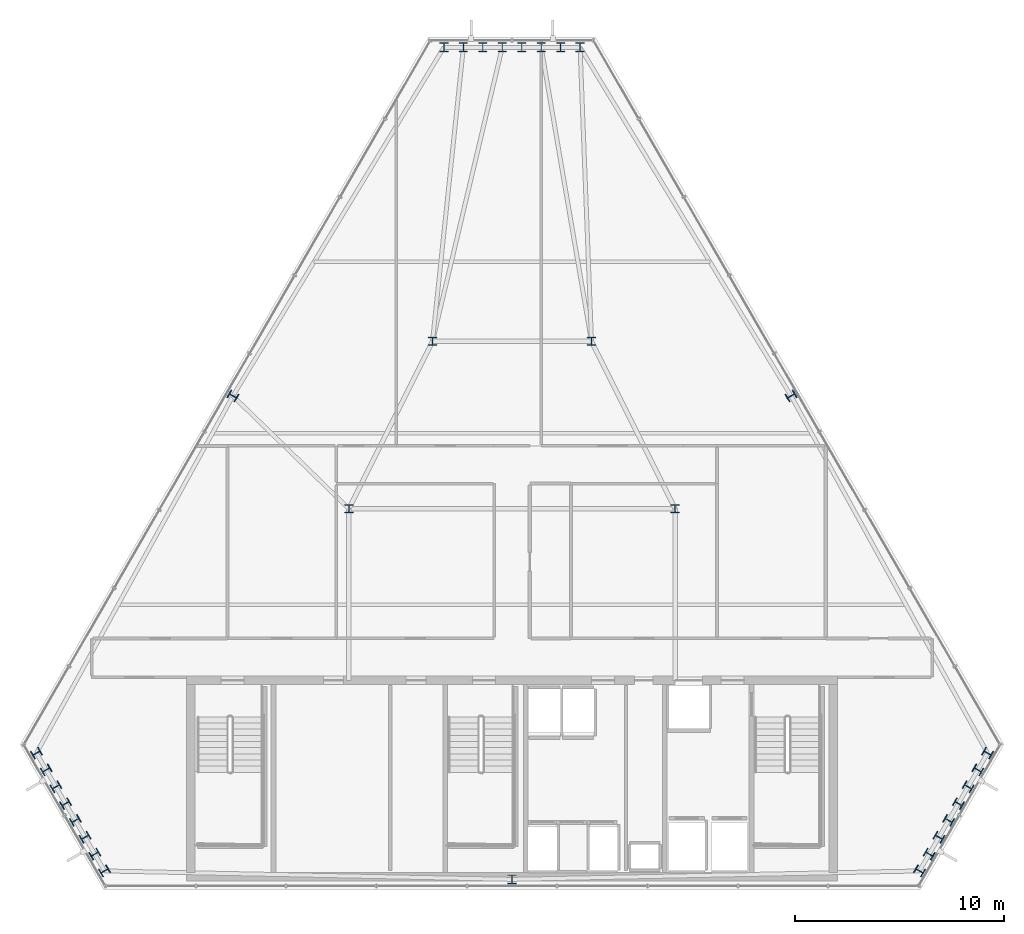
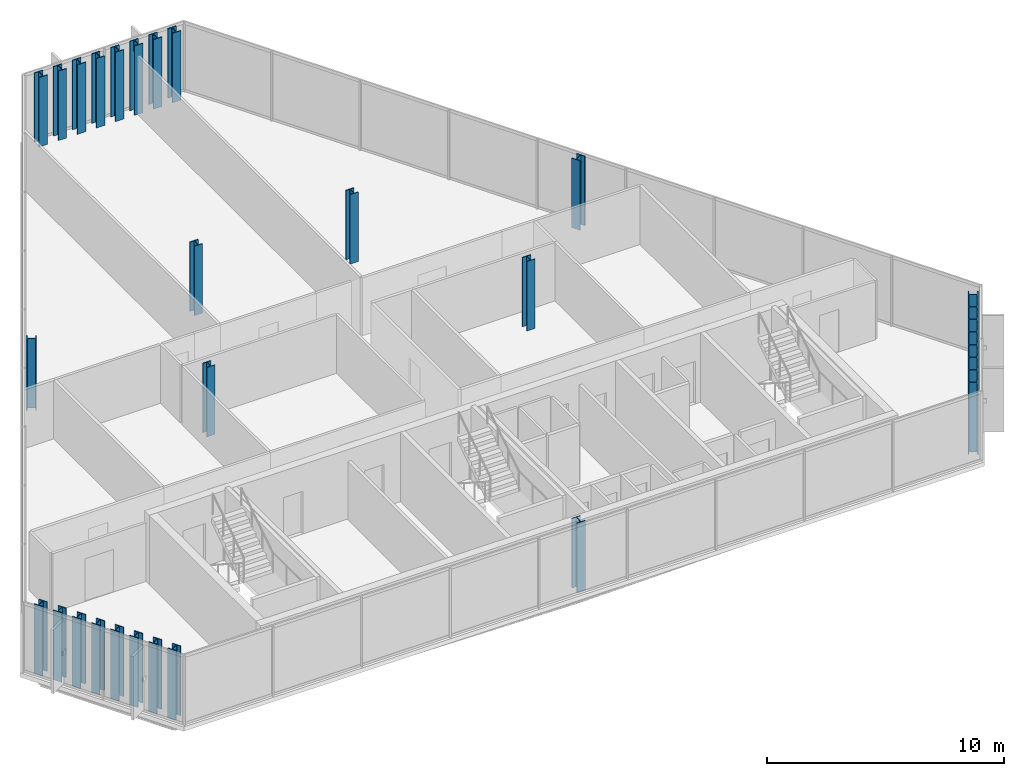
# One storey, part 1 of 30: 31 columns.
"""IFC4 building model written with IfcOpenShell, lengths in metres."""

from ifc_helpers import new_model, si_unit, direction, frame, origin, origin_2d, place, context, subcontext, project, spatial, i_section, extrude, material, material_profile, profile_set, type_object, element, save


model = new_model("IFC4")

# Units and contexts
model_context = context("Model", 3, precision=1e-05, world=origin(), true_north=direction((0.0, 1.0)))
body_context = subcontext(model_context, "Body", "Model", "MODEL_VIEW")
ifc_project = project(units=[si_unit("LENGTHUNIT", "METRE"), si_unit("AREAUNIT", "SQUARE_METRE"), si_unit("VOLUMEUNIT", "CUBIC_METRE"), si_unit("PLANEANGLEUNIT", "RADIAN"), si_unit("MASSUNIT", "GRAM", prefix="KILO")], contexts=[model_context])

# Site, building, storey
site_placement = place(None, origin())
site = spatial("IfcSite", under=ifc_project, at=site_placement, CompositionType="ELEMENT")
building_placement = place(site_placement, origin())
building = spatial("IfcBuilding", under=site, at=building_placement, Name="Ndaravel Arena Tower", CompositionType="ELEMENT")
storey_placement = place(building_placement, frame((0.0, 0.0, 221.800048828125)))
storey = spatial("IfcBuildingStorey", under=building, at=storey_placement, Name="L53", CompositionType="ELEMENT", Elevation=221.800048828125)

# Columns
ifc_material_1 = material(Name="Steel S355", Category="steel")
ifc_material_profile_1 = material_profile(ifc_material_1, i_section(OverallWidth=0.39892578125, OverallDepth=0.3935546875, WebThickness=0.022705078125, FlangeThickness=0.03662109375, FilletRadius=0.01513671875, at=origin_2d()), Name="UC 356x406x287")
ifc_profile_set_1 = profile_set([ifc_material_profile_1], Name="Steel S355")
column_type_1 = type_object("IfcColumnType", Name="COL-INT-UC287", PredefinedType="COLUMN", material=ifc_profile_set_1)
for number, where, z_axis, x_axis, name in (
    (1, (34.199951171875, 23.199951171875, 0.0), (0.0, 0.0, 1.0), (1.0, 0.0, 0.0), "L53 Interior Spine Column IC-01"),
    (2, (49.800048828125, 23.199951171875, 0.0), (0.0, 0.0, 1.0), (1.0, 0.0, 0.0), "L53 Interior Spine Column IC-02"),
    (3, (38.199951171875, 31.199951171875, 0.0), (0.0, 0.0, 1.0), (1.0, 0.0, 0.0), "L53 Interior Spine Column IC-03"),
    (4, (45.800048828125, 31.199951171875, 0.0), (0.0, 0.0, 1.0), (1.0, 0.0, 0.0), "L53 Interior Spine Column IC-04"),
):
    element("IfcColumn", number, at=place(storey_placement, frame(where, z_axis=z_axis, x_axis=x_axis)), inside=storey, type_object=column_type_1, Name=name, PredefinedType="COLUMN", context=body_context, shape_type="SweptSolid", body=[
        extrude(i_section(OverallWidth=0.39892578125, OverallDepth=0.3935546875, WebThickness=0.022705078125, FlangeThickness=0.03662109375, FilletRadius=0.01513671875, at=origin_2d()), origin(), (0.0, 0.0, 1.0), 3.579833984375),
    ])
ifc_material_2 = material(Name="Steel S355", Category="steel")
ifc_material_profile_2 = material_profile(ifc_material_2, i_section(OverallWidth=0.412109375, OverallDepth=0.43505859375, WebThickness=0.035888671875, FlangeThickness=0.0439453125, FilletRadius=0.014892578125, at=origin_2d()), Name="HD 400x463")
ifc_profile_set_2 = profile_set([ifc_material_profile_2], Name="Steel S355")
column_type_2 = type_object("IfcColumnType", Name="COL-TUBE-HD463", PredefinedType="COLUMN", material=ifc_profile_set_2)
for number, where, z_axis, x_axis, name in (
    (5, (42.0, 5.47998046875, 0.0), (0.0, 0.0, 1.0), (1.0, 0.0, 0.0), "L53 Framed Tube Column TC-01"),
    (6, (61.48095703125, 5.88232421875, 0.0), (0.0, 0.0, 1.0), (0.5, 0.866025403784, 0.0), "L53 Framed Tube Column TC-02"),
    (7, (61.945556640625, 6.687255859375, 0.0), (0.0, 0.0, 1.0), (0.5, 0.866025403784, 0.0), "L53 Framed Tube Column TC-03"),
    (8, (62.41015625, 7.491943359375, 0.0), (0.0, 0.0, 1.0), (0.5, 0.866025403784, 0.0), "L53 Framed Tube Column TC-04"),
    (9, (62.874755859375, 8.296630859375, 0.0), (0.0, 0.0, 1.0), (0.5, 0.866025403784, 0.0), "L53 Framed Tube Column TC-05"),
    (10, (63.33935546875, 9.1015625, 0.0), (0.0, 0.0, 1.0), (0.5, 0.866025403784, 0.0), "L53 Framed Tube Column TC-06"),
    (11, (63.803955078125, 9.90625, 0.0), (0.0, 0.0, 1.0), (0.5, 0.866025403784, 0.0), "L53 Framed Tube Column TC-07"),
    (12, (64.268798828125, 10.7109375, 0.0), (0.0, 0.0, 1.0), (0.5, 0.866025403784, 0.0), "L53 Framed Tube Column TC-08"),
    (13, (64.7333984375, 11.515869140625, 0.0), (0.0, 0.0, 1.0), (0.5, 0.866025403784, 0.0), "L53 Framed Tube Column TC-09"),
    (14, (55.34130859375, 28.587890625, 0.0), (0.0, 0.0, 1.0), (-0.5, 0.866025403784, 0.0), "L53 Framed Tube Column TC-10"),
    (15, (45.25244140625, 45.2578125, 0.0), (0.0, 0.0, 1.0), (1.0, 0.0, 0.0), "L53 Framed Tube Column TC-11"),
    (16, (44.3232421875, 45.2578125, 0.0), (0.0, 0.0, 1.0), (1.0, 0.0, 0.0), "L53 Framed Tube Column TC-12"),
    (17, (43.393798828125, 45.2578125, 0.0), (0.0, 0.0, 1.0), (1.0, 0.0, 0.0), "L53 Framed Tube Column TC-13"),
    (18, (42.464599609375, 45.2578125, 0.0), (0.0, 0.0, 1.0), (1.0, 0.0, 0.0), "L53 Framed Tube Column TC-14"),
    (19, (41.535400390625, 45.2578125, 0.0), (0.0, 0.0, 1.0), (1.0, 0.0, 0.0), "L53 Framed Tube Column TC-15"),
    (20, (40.606201171875, 45.2578125, 0.0), (0.0, 0.0, 1.0), (1.0, 0.0, 0.0), "L53 Framed Tube Column TC-16"),
    (21, (39.6767578125, 45.2578125, 0.0), (0.0, 0.0, 1.0), (1.0, 0.0, 0.0), "L53 Framed Tube Column TC-17"),
    (22, (38.74755859375, 45.2578125, 0.0), (0.0, 0.0, 1.0), (1.0, 0.0, 0.0), "L53 Framed Tube Column TC-18"),
    (23, (28.65869140625, 28.587890625, 0.0), (0.0, 0.0, 1.0), (0.5, 0.866025403784, 0.0), "L53 Framed Tube Column TC-19"),
    (24, (19.2666015625, 11.515869140625, 0.0), (0.0, 0.0, 1.0), (-0.5, 0.866025403784, 0.0), "L53 Framed Tube Column TC-20"),
    (25, (19.731201171875, 10.7109375, 0.0), (0.0, 0.0, 1.0), (-0.5, 0.866025403784, 0.0), "L53 Framed Tube Column TC-21"),
    (26, (20.196044921875, 9.90625, 0.0), (0.0, 0.0, 1.0), (-0.5, 0.866025403784, 0.0), "L53 Framed Tube Column TC-22"),
    (27, (20.66064453125, 9.1015625, 0.0), (0.0, 0.0, 1.0), (-0.5, 0.866025403784, 0.0), "L53 Framed Tube Column TC-23"),
    (28, (21.125244140625, 8.296630859375, 0.0), (0.0, 0.0, 1.0), (-0.5, 0.866025403784, 0.0), "L53 Framed Tube Column TC-24"),
    (29, (21.58984375, 7.491943359375, 0.0), (0.0, 0.0, 1.0), (-0.5, 0.866025403784, 0.0), "L53 Framed Tube Column TC-25"),
    (30, (22.054443359375, 6.687255859375, 0.0), (0.0, 0.0, 1.0), (-0.5, 0.866025403784, 0.0), "L53 Framed Tube Column TC-26"),
    (31, (22.51904296875, 5.88232421875, 0.0), (0.0, 0.0, 1.0), (-0.5, 0.866025403784, 0.0), "L53 Framed Tube Column TC-27"),
):
    element("IfcColumn", number, at=place(storey_placement, frame(where, z_axis=z_axis, x_axis=x_axis)), inside=storey, type_object=column_type_2, Name=name, PredefinedType="COLUMN", context=body_context, shape_type="SweptSolid", body=[
        extrude(i_section(OverallWidth=0.412109375, OverallDepth=0.43505859375, WebThickness=0.035888671875, FlangeThickness=0.0439453125, FilletRadius=0.014892578125, at=origin_2d()), origin(), (0.0, 0.0, 1.0), 3.579833984375),
    ])

save(model, "model.ifc")
